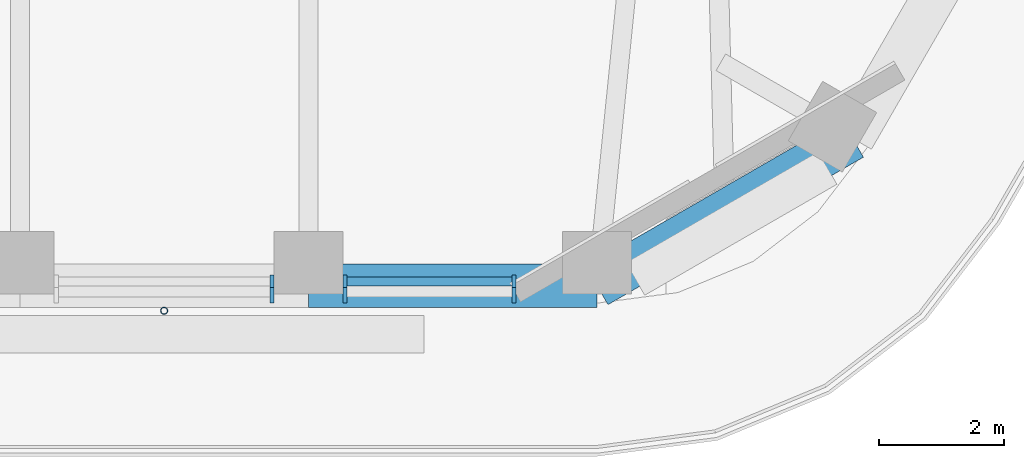
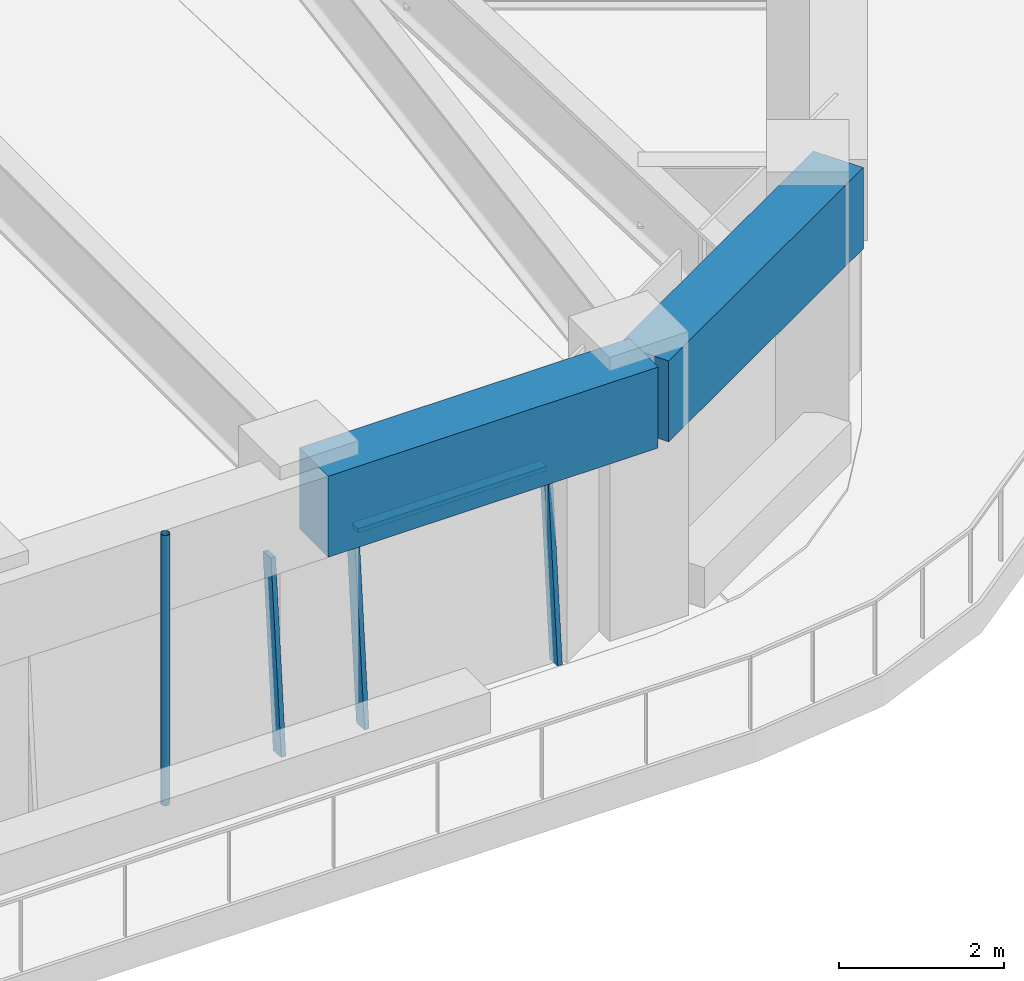
# One storey, part 4 of 20: 5 members, 2 beams, 2 elements without a shape of their own.
"""IFC4 building model written with IfcOpenShell, lengths in metres."""

from ifc_helpers import new_model, si_unit, direction, frame, origin, origin_2d, place, context, subcontext, project, spatial, rectangle, hollow_circle, extrude, material, material_profile, profile_set, type_object, element, aggregate, save


model = new_model("IFC4")

# Units and contexts
model_context = context("Model", 3, precision=1e-05, world=origin(), true_north=direction((0.0, 1.0)))
body_context = subcontext(model_context, "Body", "Model", "MODEL_VIEW")
ifc_project = project(units=[si_unit("LENGTHUNIT", "METRE"), si_unit("AREAUNIT", "SQUARE_METRE"), si_unit("VOLUMEUNIT", "CUBIC_METRE"), si_unit("PLANEANGLEUNIT", "RADIAN"), si_unit("MASSUNIT", "GRAM", prefix="KILO")], contexts=[model_context])

# Site, building, storey
site_placement = place(None, origin())
site = spatial("IfcSite", under=ifc_project, at=site_placement, CompositionType="ELEMENT")
building_placement = place(site_placement, origin())
building = spatial("IfcBuilding", under=site, at=building_placement, Name="Tarfa Lantern Tower", CompositionType="ELEMENT")
storey_placement = place(building_placement, frame((0.0, 0.0, 291.10009765625)))
storey = spatial("IfcBuildingStorey", under=building, at=storey_placement, Name="L66", CompositionType="ELEMENT", Elevation=291.10009765625)

# Curtain wall, member
ifc_material_1 = material(Name="Aluminium framed curtain wall", Category="aluminium")
curtain_wall_type = type_object("IfcCurtainWallType", Name="CW3 CANTED GLAZING HIGH ZONE 2800", PredefinedType="USERDEFINED", material=ifc_material_1)
curtain_wall_1_placement = place(storey_placement, origin())
curtain_wall_1 = element("IfcCurtainWall", 1, at=curtain_wall_1_placement, inside=storey, type_object=curtain_wall_type, Name="CW3 S L66", ObjectType="CURTAIN WALL", PredefinedType="USERDEFINED")
ifc_material_2 = material(Name="Aluminium mullion", Category="aluminium")
ifc_material_profile_1 = material_profile(ifc_material_2, rectangle(XDim=0.06494140625, YDim=0.199951171875, at=origin_2d()), Name="AL MULLION 65x200")
ifc_profile_set_1 = profile_set([ifc_material_profile_1], Name="Aluminium mullion")
member_type_1 = type_object("IfcMemberType", Name="CWM1 MULLION 65x200", PredefinedType="MULLION", material=ifc_profile_set_1)
member_1_placement = place(storey_placement, frame((8.655029296875, -28.89990234375, 0.0), z_axis=(0.0, 0.088938092736, 0.996037155763), x_axis=(-1.0, 0.0, 0.0)))
member_1 = element("IfcMember", 2, at=member_1_placement, type_object=member_type_1, Name="CW3 mullion 2", PredefinedType="MULLION", context=body_context, shape_type="SweptSolid", body=[
    extrude(rectangle(XDim=0.06494140625, YDim=0.199951171875, at=origin_2d()), origin(), (0.0, 0.0, 1.0), 2.81103515625),
])
aggregate(curtain_wall_1, [member_1])

# Curtain wall, members
curtain_wall_2_placement = place(storey_placement, origin())
curtain_wall_2 = element("IfcCurtainWall", 3, at=curtain_wall_2_placement, inside=storey, type_object=curtain_wall_type, Name="CW3 S L66", ObjectType="CURTAIN WALL", PredefinedType="USERDEFINED")
member_2_placement = place(storey_placement, frame((9.820068359375, -28.89990234375, 0.0), z_axis=(0.0, 0.088938092736, 0.996037155763), x_axis=(-1.0, 0.0, 0.0)))
member_2 = element("IfcMember", 4, at=member_2_placement, type_object=member_type_1, Name="CW3 mullion 1", PredefinedType="MULLION", context=body_context, shape_type="SweptSolid", body=[
    extrude(rectangle(XDim=0.06494140625, YDim=0.199951171875, at=origin_2d()), origin(), (0.0, 0.0, 1.0), 2.81103515625),
])
member_3_placement = place(storey_placement, frame((12.52392578125, -28.89990234375, 0.0), z_axis=(0.0, 0.088938092736, 0.996037155763), x_axis=(-1.0, 0.0, 0.0)))
member_3 = element("IfcMember", 5, at=member_3_placement, type_object=member_type_1, Name="CW3 mullion 2", PredefinedType="MULLION", context=body_context, shape_type="SweptSolid", body=[
    extrude(rectangle(XDim=0.06494140625, YDim=0.199951171875, at=origin_2d()), origin(), (0.0, 0.0, 1.0), 2.81103515625),
])
ifc_material_3 = material(Name="Aluminium transom", Category="aluminium")
ifc_material_profile_2 = material_profile(ifc_material_3, rectangle(XDim=0.14990234375, YDim=0.06494140625, at=origin_2d()), Name="AL TRANSOM 150x65")
ifc_profile_set_2 = profile_set([ifc_material_profile_2], Name="Aluminium transom")
member_type_2 = type_object("IfcMemberType", Name="CWT1 TRANSOM 150x65", PredefinedType="USERDEFINED", material=ifc_profile_set_2)
member_4_placement = place(storey_placement, frame((9.8525390625, -28.65283203125, 2.767333984375), z_axis=(1.0, 0.0, 0.0), x_axis=(0.0, 1.0, 0.0)))
member_4 = element("IfcMember", 6, at=member_4_placement, type_object=member_type_2, Name="CW3 transom 1.2", ObjectType="TRANSOM", PredefinedType="USERDEFINED", context=body_context, shape_type="SweptSolid", body=[
    extrude(rectangle(XDim=0.14990234375, YDim=0.06494140625, at=origin_2d()), origin(), (0.0, 0.0, 1.0), 2.638916015625),
])
aggregate(curtain_wall_2, [member_2, member_3, member_4])

# Beams
ifc_material_4 = material(Name="Concrete C80/95", Category="concrete")
ifc_material_profile_3 = material_profile(ifc_material_4, rectangle(XDim=0.699951171875, YDim=1.199951171875, at=origin_2d()), Name="RC 700x1200")
ifc_profile_set_3 = profile_set([ifc_material_profile_3], Name="Concrete C80/95")
beam_type = type_object("IfcBeamType", Name="EB3 RC 700x1200", PredefinedType="SPANDREL", material=ifc_profile_set_3)
beam_1_placement = place(storey_placement, frame((9.237548828125, -28.719970703125, 3.39990234375), z_axis=(1.0, 0.0, 0.0), x_axis=(0.0, 1.0, 0.0)))
element("IfcBeam", 7, at=beam_1_placement, inside=storey, type_object=beam_type, Name="Edge beam S5", PredefinedType="SPANDREL", context=body_context, shape_type="SweptSolid", body=[
    extrude(rectangle(XDim=0.699951171875, YDim=1.199951171875, at=origin_2d()), origin(), (0.0, 0.0, 1.0), 4.618896484375),
])
beam_2_placement = place(storey_placement, frame((13.8564453125, -28.719970703125, 3.39990234375), z_axis=(0.866038294681, 0.499977671647, 0.0), x_axis=(-0.499977671647, 0.866038294681, 0.0)))
element("IfcBeam", 8, at=beam_2_placement, inside=storey, type_object=beam_type, Name="Edge beam S6", PredefinedType="SPANDREL", context=body_context, shape_type="SweptSolid", body=[
    extrude(rectangle(XDim=0.699951171875, YDim=1.199951171875, at=origin_2d()), origin(), (0.0, 0.0, 1.0), 4.719970703125),
])

# Member
ifc_material_5 = material(Name="Steel S355", Category="steel")
ifc_material_profile_4 = material_profile(ifc_material_5, hollow_circle(Radius=0.05712890625, WallThickness=0.00634765625, at=origin_2d()), Name="CHS114.3x6.3")
ifc_profile_set_4 = profile_set([ifc_material_profile_4], Name="Steel S355")
member_type_3 = type_object("IfcMemberType", Name="TR1 GREEN WALL TRELLIS CHS114.3x6.3", PredefinedType="USERDEFINED", material=ifc_profile_set_4)
member_5_placement = place(storey_placement, frame((6.92822265625, -29.1201171875, 0.0), z_axis=(0.0, 0.0, 1.0), x_axis=(1.0, 0.0, 0.0)))
element("IfcMember", 9, at=member_5_placement, inside=storey, type_object=member_type_3, Name="Trellis post S 2", ObjectType="TRELLIS", PredefinedType="USERDEFINED", context=body_context, shape_type="SweptSolid", body=[
    extrude(hollow_circle(Radius=0.05712890625, WallThickness=0.00634765625, at=origin_2d()), origin(), (0.0, 0.0, 1.0), 4.0),
])

save(model, "model.ifc")
